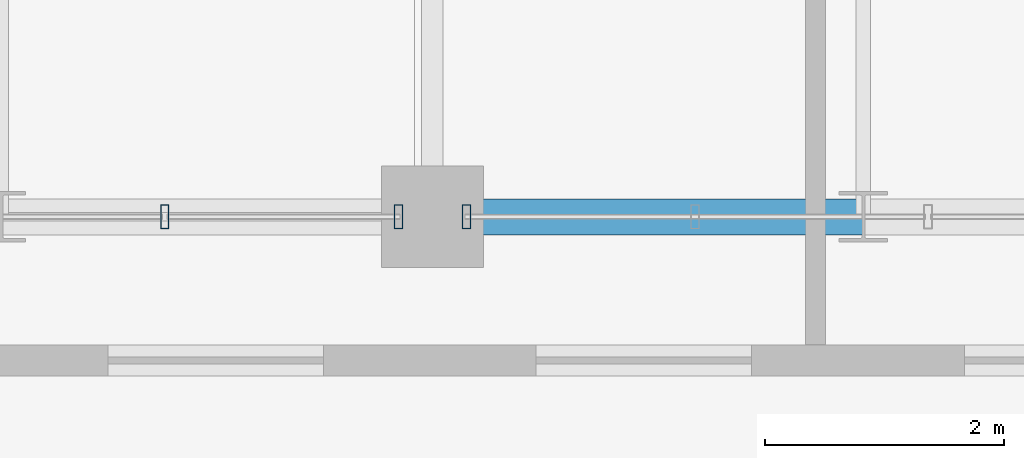
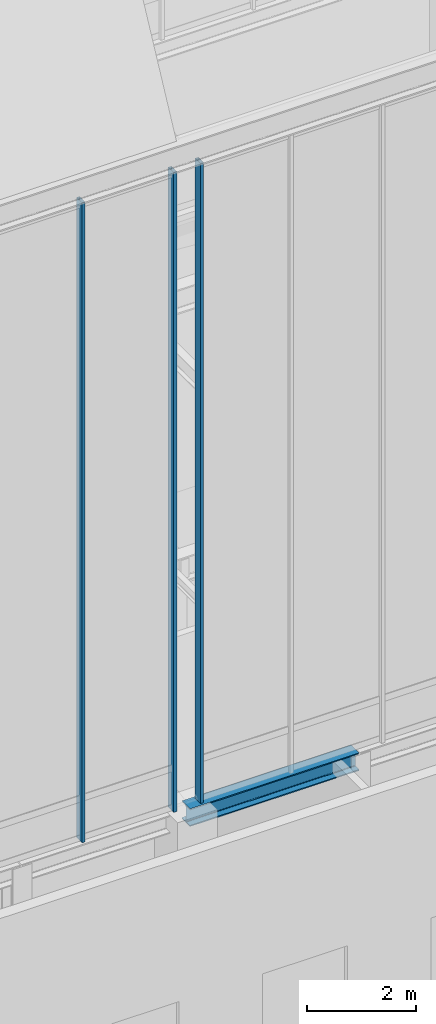
# One storey, part 13 of 49: 3 members, 1 beam, 2 elements without a shape of their own.
"""IFC4 building model written with IfcOpenShell, lengths in metres."""

import ifcopenshell
import ifcopenshell.guid

model = None  # the IFC model being written
_history = None  # IfcOwnerHistory: only IFC2X3 demands one
_inside = {}  # id of a spatial element -> (the spatial element, [elements in it])
_under = {}  # id of a project, library or spatial element -> (it, [spatial elements below it])
_declared = {}  # id of a project -> (the project, [libraries it declares])
_typed = {}  # id of a type object -> (the type object, [elements of that type])
_made_of = {}  # id of a material, layer set ... -> (it, [elements and type objects made of it])


def new_model(schema):
    """Start an empty IFC model of exactly this schema.

    Asked for "IFC4X3", IfcOpenShell would pick the latest addendum, in which some entities
    have other attributes; the version numbers below select the first issue.
    IFC2X3 requires an IfcOwnerHistory on every rooted entity: one is made here for all.
    """
    global model, _history
    if schema == "IFC4X3":
        model = ifcopenshell.file(schema_version=(4, 3, 0, 0))
    else:
        model = ifcopenshell.file(schema=schema)
    _inside.clear()
    _under.clear()
    _declared.clear()
    _typed.clear()
    _made_of.clear()
    _history = None
    if model.schema == "IFC2X3":
        org = make("IfcOrganization", Name="unknown")
        user = make(
            "IfcPersonAndOrganization",
            ThePerson=make("IfcPerson", FamilyName="unknown"),
            TheOrganization=org,
        )
        app = make(
            "IfcApplication",
            ApplicationDeveloper=org,
            Version="unknown",
            ApplicationFullName="unknown",
            ApplicationIdentifier="unknown",
        )
        _history = make(
            "IfcOwnerHistory",
            OwningUser=user,
            OwningApplication=app,
            ChangeAction="ADDED",
            CreationDate=0,
        )
    return model


def make(cls, **values):
    """One entity of the class cls with the attributes given. An attribute that is None is left unset."""
    return model.create_entity(
        cls, **{name: value for name, value in values.items() if value is not None}
    )


def rooted(cls, **values):
    """An entity with a GlobalId (a new one), such as an element, a storey or a relation."""
    return make(cls, GlobalId=ifcopenshell.guid.new(), OwnerHistory=_history, **values)


def si_unit(unit_type, name, prefix=None):
    """IfcSIUnit, for example si_unit("LENGTHUNIT", "METRE", prefix="MILLI")."""
    return make("IfcSIUnit", UnitType=unit_type, Prefix=prefix, Name=name)


def assignment(units):
    """IfcUnitAssignment: the units of a project."""
    return None if units is None else make("IfcUnitAssignment", Units=units)


def point(xyz):
    """IfcCartesianPoint."""
    return None if xyz is None else make("IfcCartesianPoint", Coordinates=xyz)


def direction(xyz):
    """IfcDirection."""
    return None if xyz is None else make("IfcDirection", DirectionRatios=xyz)


def frame(location, z_axis=None, x_axis=None):
    """IfcAxis2Placement3D, a coordinate frame: its origin and axes. An axis left out is left unset."""
    return make(
        "IfcAxis2Placement3D",
        Location=point(location),
        Axis=direction(z_axis),
        RefDirection=direction(x_axis),
    )


def frame_2d(location, x_axis=None):
    """IfcAxis2Placement2D, a coordinate frame in the plane: its origin and x axis."""
    return make(
        "IfcAxis2Placement2D", Location=point(location), RefDirection=direction(x_axis)
    )


def origin():
    """The frame at (0, 0, 0) with its axes left unset."""
    return frame((0.0, 0.0, 0.0))


def origin_2d():
    """The frame at (0, 0) in the plane with its x axis left unset."""
    return frame_2d((0.0, 0.0))


def place(relative_to, where):
    """IfcLocalPlacement: puts the frame where relative to a parent placement (None: the world)."""
    return make(
        "IfcLocalPlacement", PlacementRelTo=relative_to, RelativePlacement=where
    )


def context(
    kind, dimensions, precision=None, world=None, true_north=None, identifier=None
):
    """IfcGeometricRepresentationContext, for example the 3D "Model" context."""
    return make(
        "IfcGeometricRepresentationContext",
        ContextIdentifier=identifier,
        ContextType=kind,
        CoordinateSpaceDimension=dimensions,
        Precision=precision,
        WorldCoordinateSystem=world,
        TrueNorth=true_north,
    )


def subcontext(parent, identifier, kind, view, scale=None):
    """IfcGeometricRepresentationSubContext, for example "Body" below "Model"."""
    return make(
        "IfcGeometricRepresentationSubContext",
        ContextIdentifier=identifier,
        ContextType=kind,
        ParentContext=parent,
        TargetScale=scale,
        TargetView=view,
    )


def project(units=None, contexts=None):
    """IfcProject with its units and contexts."""
    return rooted(
        "IfcProject",
        Name="project",
        RepresentationContexts=contexts,
        UnitsInContext=assignment(units),
    )


def spatial(cls, under=None, at=None, **own):
    """A site, building, storey or space (cls), placed at a placement, below another one or the project."""
    s = rooted(cls, ObjectPlacement=at, **own)
    if under is not None:
        _under.setdefault(under.id(), (under, []))[1].append(s)
    return s


def profile(cls, at=None, kind="AREA", **sizes):
    """A parametric profile (cls). Its sizes go by their IFC names, for example OverallWidth=200.0."""
    return make(cls, ProfileType=kind, Position=at, **sizes)


def hollow_rectangle(**sizes):
    """IfcRectangleHollowProfileDef."""
    return profile("IfcRectangleHollowProfileDef", **sizes)


def i_section(**sizes):
    """IfcIShapeProfileDef."""
    return profile("IfcIShapeProfileDef", **sizes)


def extrude(swept, where, along, depth):
    """IfcExtrudedAreaSolid: the profile swept, set in the frame where, extruded along a direction by depth."""
    return make(
        "IfcExtrudedAreaSolid",
        SweptArea=swept,
        Position=where,
        ExtrudedDirection=direction(along),
        Depth=depth,
    )


def shape(context_of_items, identifier, shape_type, items):
    """IfcShapeRepresentation: the items that make up one representation, for example the "Body"."""
    return make(
        "IfcShapeRepresentation",
        ContextOfItems=context_of_items,
        RepresentationIdentifier=identifier,
        RepresentationType=shape_type,
        Items=items,
    )


def source(mapping_origin, context_of_items, identifier, shape_type, items):
    """IfcRepresentationMap: a shape defined once, which mapped items show again and again."""
    return make(
        "IfcRepresentationMap",
        MappingOrigin=mapping_origin,
        MappedRepresentation=shape(context_of_items, identifier, shape_type, items),
    )


def transform(
    local_origin,
    x_axis=None,
    y_axis=None,
    z_axis=None,
    scale=None,
    scale2=None,
    scale3=None,
    uniform=True,
):
    """IfcCartesianTransformationOperator3D, or its non-uniform kind. x_axis, y_axis, z_axis: its Axis1, 2, 3."""
    if uniform:
        return make(
            "IfcCartesianTransformationOperator3D",
            Axis1=direction(x_axis),
            Axis2=direction(y_axis),
            LocalOrigin=point(local_origin),
            Scale=scale,
            Axis3=direction(z_axis),
        )
    return make(
        "IfcCartesianTransformationOperator3DnonUniform",
        Axis1=direction(x_axis),
        Axis2=direction(y_axis),
        LocalOrigin=point(local_origin),
        Scale=scale,
        Axis3=direction(z_axis),
        Scale2=scale2,
        Scale3=scale3,
    )


def mapped(mapping_source, mapping_target):
    """IfcMappedItem: shows the shape of a source again, moved by a transform."""
    return make(
        "IfcMappedItem", MappingSource=mapping_source, MappingTarget=mapping_target
    )


def material(Name=None, Category=None):
    """IfcMaterial."""
    return make("IfcMaterial", Name=Name, Category=Category)


def layer(
    of_material, thickness, ventilated=None, Name=None, Category=None, Priority=None
):
    """IfcMaterialLayer: one layer of a wall or slab, of a material (None: an air gap)."""
    return make(
        "IfcMaterialLayer",
        Material=of_material,
        LayerThickness=thickness,
        IsVentilated=ventilated,
        Name=Name,
        Category=Category,
        Priority=Priority,
    )


def layer_set(layers, Name=None):
    """IfcMaterialLayerSet."""
    return make("IfcMaterialLayerSet", MaterialLayers=layers, LayerSetName=Name)


def material_profile(
    of_material, cross_section, Name=None, Category=None, Priority=None
):
    """IfcMaterialProfile: a cross section and its material."""
    return make(
        "IfcMaterialProfile",
        Name=Name,
        Material=of_material,
        Profile=cross_section,
        Priority=Priority,
        Category=Category,
    )


def profile_set(profiles, Name=None, composite=None):
    """IfcMaterialProfileSet."""
    return make(
        "IfcMaterialProfileSet",
        Name=Name,
        MaterialProfiles=profiles,
        CompositeProfile=composite,
    )


def made_of(thing, what):
    """Note that an element or type object is made of a material, layer set ...; save() writes the relation."""
    if what is not None:
        _made_of.setdefault(what.id(), (what, []))[1].append(thing)
    return thing


def type_object(cls, material=None, **own):
    """A type object (cls), such as IfcWallType, which elements share."""
    return made_of(rooted(cls, **own), material)


def element(
    cls,
    number,
    at=None,
    inside=None,
    cuts=None,
    type_object=None,
    material=None,
    context=None,
    identifier="Body",
    shape_type=None,
    held_by="IfcProductDefinitionShape",
    body=None,
    shapes=None,
    **own,
):
    """One element of the class cls, such as IfcWall. Its Tag is "e" and its number.

    at: its placement. inside: the storey or other place that contains it. cuts: it is an
    opening in that element (IfcRelVoidsElement). A single representation is given by context,
    identifier, shape_type and body (its items); several are given by shapes. held_by: the class
    of the entity that holds the representations. save() writes the other relations.
    """
    e = rooted(cls, Tag="e%d" % number, ObjectPlacement=at, **own)
    if body is not None:
        shapes = [shape(context, identifier, shape_type, body)]
    if shapes is not None:
        e.Representation = make(held_by, Representations=shapes)
    if inside is not None:
        _inside.setdefault(inside.id(), (inside, []))[1].append(e)
    if cuts is not None:
        rooted(
            "IfcRelVoidsElement", RelatingBuildingElement=cuts, RelatedOpeningElement=e
        )
    if type_object is not None:
        _typed.setdefault(type_object.id(), (type_object, []))[1].append(e)
    return made_of(e, material)


def aggregate(whole, parts):
    """IfcRelAggregates: a whole, such as a stair, and the parts it consists of."""
    return rooted("IfcRelAggregates", RelatingObject=whole, RelatedObjects=parts)


def save(model, path):
    """Write the relations noted so far, then the file.

    IfcRelAggregates (storeys below a building ...), IfcRelContainedInSpatialStructure (elements
    in a storey), IfcRelDefinesByType, IfcRelAssociatesMaterial and IfcRelDeclares: one each for
    every whole, place, type object, material and project.
    """
    for whole, parts in _under.values():
        aggregate(whole, parts)
    for where, things in _inside.values():
        rooted(
            "IfcRelContainedInSpatialStructure",
            RelatedElements=things,
            RelatingStructure=where,
        )
    for kind, things in _typed.values():
        rooted("IfcRelDefinesByType", RelatedObjects=things, RelatingType=kind)
    for what, things in _made_of.values():
        rooted("IfcRelAssociatesMaterial", RelatedObjects=things, RelatingMaterial=what)
    for by, libraries in _declared.values():
        rooted("IfcRelDeclares", RelatingContext=by, RelatedDefinitions=libraries)
    model.write(path)


model = new_model("IFC4")

# Units and contexts
model_context = context("Model", 3, precision=1e-05, world=origin(), true_north=direction((0.0, 1.0)))
body_context = subcontext(model_context, "Body", "Model", "MODEL_VIEW")
ifc_project = project(units=[si_unit("LENGTHUNIT", "METRE"), si_unit("AREAUNIT", "SQUARE_METRE"), si_unit("VOLUMEUNIT", "CUBIC_METRE"), si_unit("PLANEANGLEUNIT", "RADIAN"), si_unit("MASSUNIT", "GRAM", prefix="KILO")], contexts=[model_context])

# Site, building, storey
site_placement = place(None, origin())
site = spatial("IfcSite", under=ifc_project, at=site_placement, CompositionType="ELEMENT")
building_placement = place(site_placement, origin())
building = spatial("IfcBuilding", under=site, at=building_placement, Name="Kaliganga Portal Commons", CompositionType="ELEMENT")
storey_placement = place(building_placement, frame((0.0, 0.0, 298.0)))
storey = spatial("IfcBuildingStorey", under=building, at=storey_placement, Name="L77", CompositionType="ELEMENT", Elevation=298.0)

# Beam
ifc_material_1 = material(Name="Structural steel S355J2", Category="steel")
ifc_material_profile_1 = material_profile(ifc_material_1, i_section(OverallWidth=0.300048828125, OverallDepth=0.39990234375, WebThickness=0.013427734375, FlangeThickness=0.02392578125, FilletRadius=0.027099609375, at=origin_2d()), Name="HE 400 B")
ifc_profile_set_1 = profile_set([ifc_material_profile_1], Name="Structural steel S355J2 wide-flange")
beam_type = type_object("IfcBeamType", Name="BM-SPAND-400", PredefinedType="SPANDREL", material=ifc_profile_set_1)
shared_shape_1 = source(origin(), body_context, "Body", "SweptSolid", [
    extrude(i_section(OverallWidth=0.300048828125, OverallDepth=0.39990234375, WebThickness=0.013427734375, FlangeThickness=0.02392578125, FilletRadius=0.027099609375, at=origin_2d()), origin(), (0.0, 0.0, 1.0), 3.599853515625),
])
beam_placement = place(storey_placement, frame((28.800048828125, 21.60009765625, 5.800048828125), z_axis=(1.0, 0.0, 0.0), x_axis=(0.0, 1.0, 0.0)))
element("IfcBeam", 1, at=beam_placement, inside=storey, type_object=beam_type, Name="BM SP L77 AS 5", PredefinedType="SPANDREL", context=body_context, shape_type="MappedRepresentation", body=[
    mapped(shared_shape_1, transform((0.0, 0.0, 0.0), x_axis=(1.0, 0.0, 0.0), y_axis=(0.0, 1.0, 0.0), z_axis=(0.0, 0.0, 1.0), scale=1.0)),
])

# Curtain wall, members
ifc_material_2 = material(Name="Anodized Aluminium and Laminated Low-E Glass", Category="aluminium")
ifc_layer = layer(ifc_material_2, 0.25)
ifc_layer_set = layer_set([ifc_layer], Name="Anodized Aluminium and Laminated Low-E Glass")
curtain_wall_type = type_object("IfcCurtainWallType", Name="CW-SYS-06", PredefinedType="NOTDEFINED", material=ifc_layer_set)
curtain_wall_1_placement = place(storey_placement, origin())
curtain_wall_1 = element("IfcCurtainWall", 2, at=curtain_wall_1_placement, inside=storey, type_object=curtain_wall_type, Name="CW 06 L77 SW", PredefinedType="NOTDEFINED")
ifc_material_3 = material(Name="Dark Bronze Anodized Aluminium", Category="aluminium")
ifc_material_profile_2 = material_profile(ifc_material_3, hollow_rectangle(XDim=0.070068359375, YDim=0.199951171875, WallThickness=0.00390625, at=origin_2d()), Name="ALU MULL 70x200x4")
ifc_profile_set_2 = profile_set([ifc_material_profile_2], Name="Dark Bronze Anodized Aluminium")
member_type = type_object("IfcMemberType", Name="CW-MUL-220", PredefinedType="MULLION", material=ifc_profile_set_2)
shared_shape_2 = source(origin(), body_context, "Body", "SweptSolid", [
    extrude(hollow_rectangle(XDim=0.070068359375, YDim=0.199951171875, WallThickness=0.00390625, at=origin_2d()), origin(), (0.0, 0.0, 1.0), 14.39990234375),
])
member_1_placement = place(storey_placement, frame((26.564208984375, 21.60009765625, 6.0), z_axis=(0.0, 0.0, 1.0), x_axis=(1.0, 0.0, 0.0)))
member_1 = element("IfcMember", 3, at=member_1_placement, type_object=member_type, Name="CW:06:L77:SW Mullion 06", PredefinedType="MULLION", context=body_context, shape_type="MappedRepresentation", body=[
    mapped(shared_shape_2, transform((0.0, 0.0, 0.0), x_axis=(1.0, 0.0, 0.0), y_axis=(0.0, 1.0, 0.0), z_axis=(0.0, 0.0, 1.0), scale=1.0)),
])
member_2_placement = place(storey_placement, frame((28.514892578125, 21.60009765625, 6.0), z_axis=(0.0, 0.0, 1.0), x_axis=(1.0, 0.0, 0.0)))
member_2 = element("IfcMember", 4, at=member_2_placement, type_object=member_type, Name="CW:06:L77:SW Mullion 07", PredefinedType="MULLION", context=body_context, shape_type="MappedRepresentation", body=[
    mapped(shared_shape_2, transform((0.0, 0.0, 0.0), x_axis=(1.0, 0.0, 0.0), y_axis=(0.0, 1.0, 0.0), z_axis=(0.0, 0.0, 1.0), scale=1.0)),
])
aggregate(curtain_wall_1, [member_1, member_2])

# Curtain wall, member
curtain_wall_2_placement = place(storey_placement, origin())
curtain_wall_2 = element("IfcCurtainWall", 5, at=curtain_wall_2_placement, inside=storey, type_object=curtain_wall_type, Name="CW 06 L77 SE", PredefinedType="NOTDEFINED")
member_3_placement = place(storey_placement, frame((29.0849609375, 21.60009765625, 6.0), z_axis=(0.0, 0.0, 1.0), x_axis=(1.0, 0.0, 0.0)))
member_3 = element("IfcMember", 6, at=member_3_placement, type_object=member_type, Name="CW:06:L77:SE Mullion 00", PredefinedType="MULLION", context=body_context, shape_type="MappedRepresentation", body=[
    mapped(shared_shape_2, transform((0.0, 0.0, 0.0), x_axis=(1.0, 0.0, 0.0), y_axis=(0.0, 1.0, 0.0), z_axis=(0.0, 0.0, 1.0), scale=1.0)),
])
aggregate(curtain_wall_2, [member_3])

save(model, "model.ifc")
